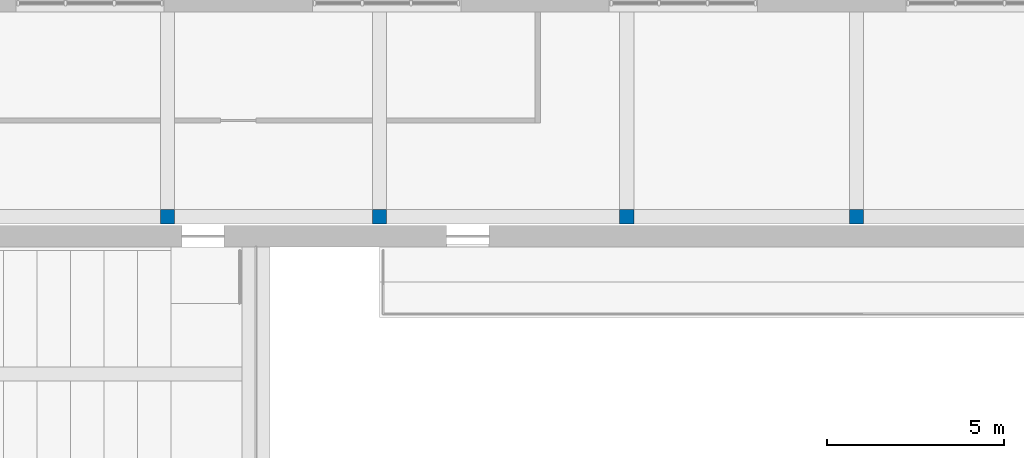
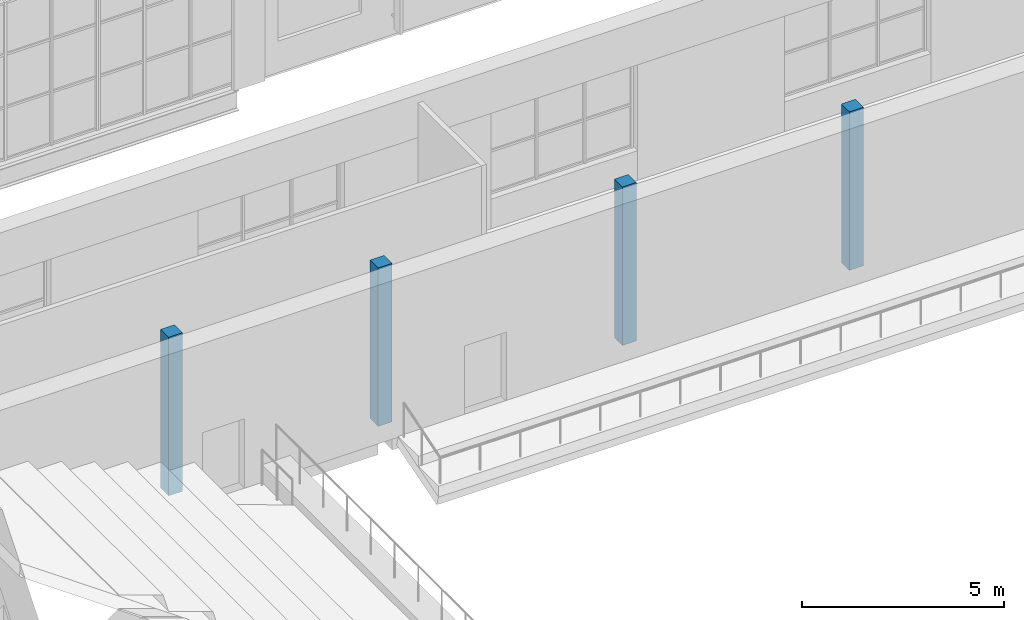
# One storey, part 8 of 116: 4 columns.
"""IFC4 building model written with IfcOpenShell, lengths in metres."""

from ifc_helpers import new_model, si_unit, direction, frame, origin, origin_2d, place, context, subcontext, project, spatial, rectangle, extrude, material, material_profile, profile_set, type_object, element, save


model = new_model("IFC4")

# Units and contexts
model_context = context("Model", 3, precision=1e-05, world=origin(), true_north=direction((0.0, 1.0)))
body_context = subcontext(model_context, "Body", "Model", "MODEL_VIEW")
ifc_project = project(units=[si_unit("LENGTHUNIT", "METRE"), si_unit("AREAUNIT", "SQUARE_METRE"), si_unit("VOLUMEUNIT", "CUBIC_METRE"), si_unit("PLANEANGLEUNIT", "RADIAN"), si_unit("MASSUNIT", "GRAM", prefix="KILO")], contexts=[model_context])

# Site, building, storey
site_placement = place(None, origin())
site = spatial("IfcSite", under=ifc_project, at=site_placement, CompositionType="ELEMENT")
building_placement = place(site_placement, origin())
building = spatial("IfcBuilding", under=site, at=building_placement, Name="Ljudholm Concert House", CompositionType="ELEMENT")
storey_placement = place(building_placement, frame((0.0, 0.0, 10.199951171875)))
storey = spatial("IfcBuildingStorey", under=building, at=storey_placement, Name="L02", CompositionType="ELEMENT", Elevation=10.199951171875)

# Columns
ifc_material = material(Name="Concrete 6,500 psi", Category="concrete")
ifc_material_profile = material_profile(ifc_material, rectangle(XDim=0.39990234375, YDim=0.39990234375, at=origin_2d()), Name="RC COLUMN 400x400")
ifc_profile_set = profile_set([ifc_material_profile], Name="Concrete 6,500 psi")
column_type = type_object("IfcColumnType", Name="RC COLUMN 400x400", PredefinedType="COLUMN", material=ifc_profile_set)
for number, where, z_axis, x_axis, name in (
    (1, (44.0, 90.35009765625, 0.0), (0.0, 0.0, 1.0), (1.0, 0.0, 0.0), "Ring column"),
    (2, (50.0, 90.35009765625, 0.0), (0.0, 0.0, 1.0), (1.0, 0.0, 0.0), "Ring column"),
    (3, (57.0, 90.35009765625, 0.0), (0.0, 0.0, 1.0), (1.0, 0.0, 0.0), "Ring column"),
    (4, (63.5, 90.35009765625, 0.0), (0.0, 0.0, 1.0), (1.0, 0.0, 0.0), "Ring column"),
):
    element("IfcColumn", number, at=place(storey_placement, frame(where, z_axis=z_axis, x_axis=x_axis)), inside=storey, type_object=column_type, Name=name, PredefinedType="COLUMN", context=body_context, shape_type="SweptSolid", body=[
        extrude(rectangle(XDim=0.39990234375, YDim=0.39990234375, at=origin_2d()), origin(), (0.0, 0.0, 1.0), 4.800048828125),
    ])

save(model, "model.ifc")
